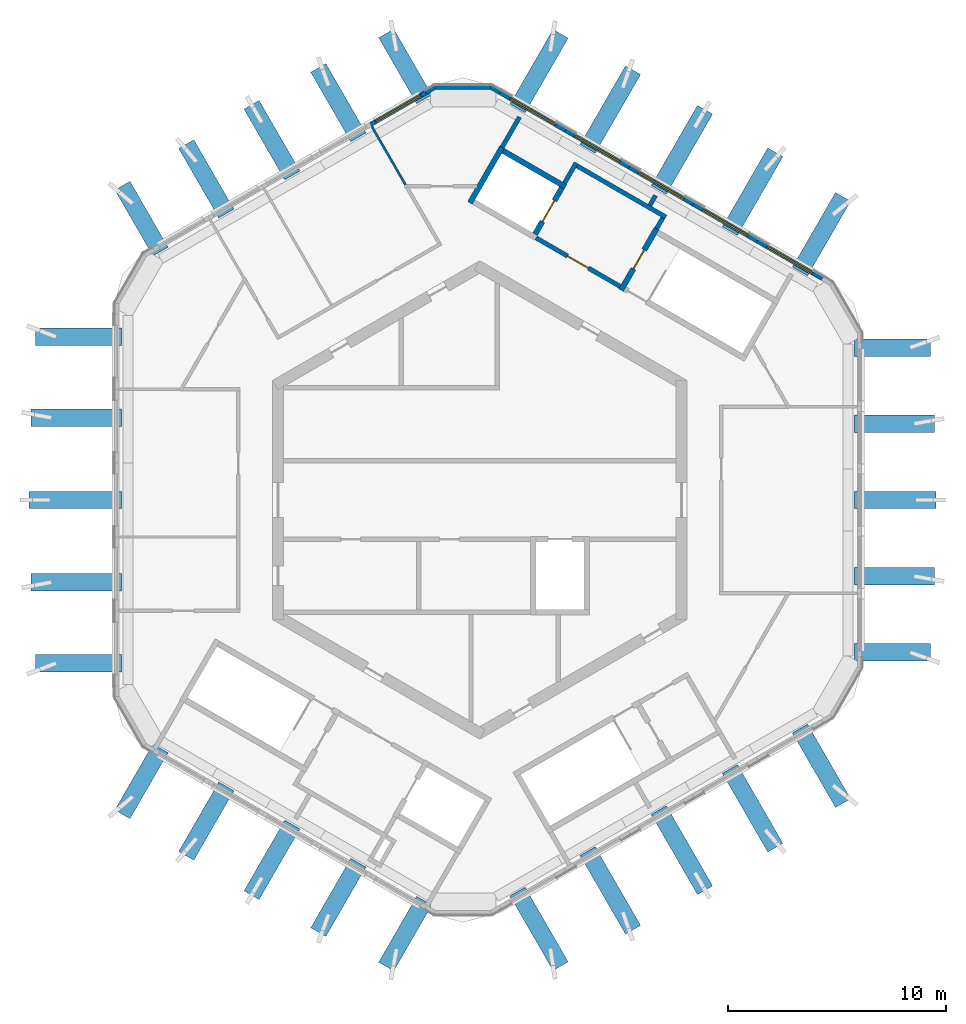
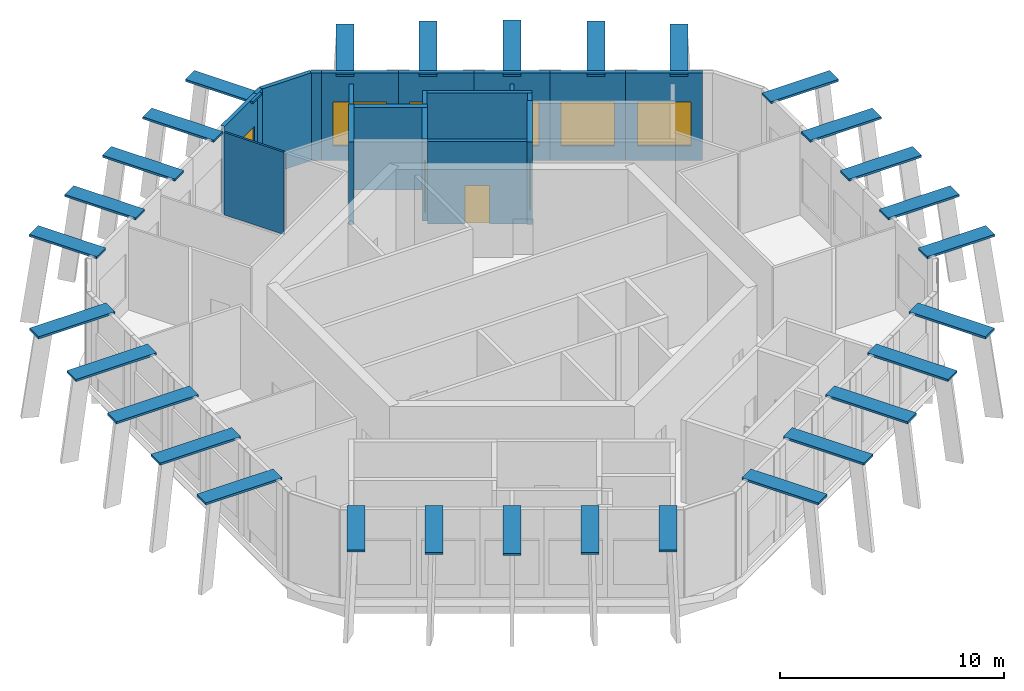
# One storey, part 5 of 8: 30 discrete accessories, 20 walls, 6 windows, 3 doors, 9 openings.
"""IFC4 building model written with IfcOpenShell, lengths in metres."""

from ifc_helpers import new_model, si_unit, direction, frame, frame_2d, origin, origin_2d, place, context, subcontext, project, spatial, rectangle, extrude, material, layer, layer_set, type_object, element, fill, save


model = new_model("IFC4")

# Units and contexts
model_context = context("Model", 3, precision=1e-05, world=origin(), true_north=direction((0.0, 1.0)))
body_context = subcontext(model_context, "Body", "Model", "MODEL_VIEW")
ifc_project = project(units=[si_unit("LENGTHUNIT", "METRE"), si_unit("AREAUNIT", "SQUARE_METRE"), si_unit("VOLUMEUNIT", "CUBIC_METRE"), si_unit("PLANEANGLEUNIT", "RADIAN"), si_unit("MASSUNIT", "GRAM", prefix="KILO")], contexts=[model_context])

# Site, building, storey
site_placement = place(None, origin())
site = spatial("IfcSite", under=ifc_project, at=site_placement, CompositionType="ELEMENT")
building_placement = place(site_placement, origin())
building = spatial("IfcBuilding", under=site, at=building_placement, Name="Ayvan Gate Tower", CompositionType="ELEMENT")
storey_placement = place(building_placement, frame((0.0, 0.0, 262.89990234375)))
storey = spatial("IfcBuildingStorey", under=building, at=storey_placement, Name="L70", CompositionType="ELEMENT", Elevation=262.89990234375)

# Wall, opening, window
ifc_material_1 = material(Name="Pale metal cladding on insulated wall")
ifc_layer_1 = layer(ifc_material_1, 0.199951171875)
ifc_layer_set_1 = layer_set([ifc_layer_1], Name="Pale metal cladding on insulated wall")
wall_type_1 = type_object("IfcWallType", Name="Louvred plant wall 200", PredefinedType="SOLIDWALL", material=ifc_layer_set_1)
wall_1_placement = place(storey_placement, frame((-2.470703125, 18.6796875, 0.0), z_axis=(0.0, 0.0, 1.0), x_axis=(-0.866033925456, -0.499985239742, 0.0)))
wall_1 = element("IfcWall", 1, at=wall_1_placement, inside=storey, type_object=wall_type_1, Name="EW:L70:F00:0", PredefinedType="SOLIDWALL", context=body_context, shape_type="SweptSolid", body=[
    extrude(rectangle(XDim=2.921875, YDim=0.199951171875, at=frame_2d((1.4609375, 0.0))), origin(), (0.0, 0.0, 1.0), 4.800048828125),
])
opening_1_placement = place(wall_1_placement, frame((0.260986328125, 0.0, 0.800048828125)))
opening_1 = element("IfcOpeningElement", 2, at=opening_1_placement, cuts=wall_1, Name="Opening W-L", PredefinedType="OPENING", context=body_context, shape_type="SweptSolid", body=[
    extrude(rectangle(XDim=2.39990234375, YDim=2.39990234375, at=frame_2d((1.199951171875, 1.199951171875))), frame((0.0, 0.10986328125, 0.0), z_axis=(0.0, -1.0, 0.0), x_axis=(1.0, 0.0, 0.0)), (0.0, 0.0, 1.0), 0.219970703125),
])
ifc_material_2 = material(Name="Anodised aluminium louvre", Category="aluminium")
window_type = type_object("IfcWindowType", Name="Louvre intake W-L", PartitioningType="DOUBLE_PANEL_VERTICAL", PredefinedType="WINDOW", material=ifc_material_2)
window_1_placement = place(opening_1_placement, origin())
window_1 = element("IfcWindow", 3, at=window_1_placement, inside=storey, type_object=window_type, Name="Louvre intake L70.0.0", OverallHeight=2.39990234375, OverallWidth=2.39990234375, PartitioningType="SINGLE_PANEL", PredefinedType="WINDOW", context=body_context, shape_type="SweptSolid", body=[
    extrude(rectangle(XDim=2.39990234375, YDim=2.39990234375, at=frame_2d((1.199951171875, 1.199951171875))), frame((0.0, 0.030029296875, 0.0), z_axis=(0.0, -1.0, 0.0), x_axis=(1.0, 0.0, 0.0)), (0.0, 0.0, 1.0), 0.06005859375),
])
fill(opening_1, window_1)

wall_2_placement = place(storey_placement, frame((15.7099609375, 10.1494140625, 0.0), z_axis=(0.0, 0.0, 1.0), x_axis=(-0.866064358114, 0.499932523051, 0.0)))
wall_2 = element("IfcWall", 4, at=wall_2_placement, inside=storey, type_object=wall_type_1, Name="EW:L70:F10:0", PredefinedType="SOLIDWALL", context=body_context, shape_type="SweptSolid", body=[
    extrude(rectangle(XDim=3.4541015625, YDim=0.199951171875, at=frame_2d((1.72705078125, 0.0))), origin(), (0.0, 0.0, 1.0), 4.800048828125),
])
opening_2_placement = place(wall_2_placement, frame((0.527099609375, 0.0, 0.800048828125)))
opening_2 = element("IfcOpeningElement", 5, at=opening_2_placement, cuts=wall_2, Name="Opening W-L", PredefinedType="OPENING", context=body_context, shape_type="SweptSolid", body=[
    extrude(rectangle(XDim=2.39990234375, YDim=2.39990234375, at=frame_2d((1.199951171875, 1.199951171875))), frame((0.0, 0.10986328125, 0.0), z_axis=(0.0, -1.0, 0.0), x_axis=(1.0, 0.0, 0.0)), (0.0, 0.0, 1.0), 0.219970703125),
])
window_2_placement = place(opening_2_placement, origin())
window_2 = element("IfcWindow", 6, at=window_2_placement, inside=storey, type_object=window_type, Name="Louvre intake L70.10.0", OverallHeight=2.39990234375, OverallWidth=2.39990234375, PartitioningType="SINGLE_PANEL", PredefinedType="WINDOW", context=body_context, shape_type="SweptSolid", body=[
    extrude(rectangle(XDim=2.39990234375, YDim=2.39990234375, at=frame_2d((1.199951171875, 1.199951171875))), frame((0.0, 0.030029296875, 0.0), z_axis=(0.0, -1.0, 0.0), x_axis=(1.0, 0.0, 0.0)), (0.0, 0.0, 1.0), 0.06005859375),
])
fill(opening_2, window_2)

wall_3_placement = place(storey_placement, frame((12.718505859375, 11.876220703125, 0.0), z_axis=(0.0, 0.0, 1.0), x_axis=(-0.865992138996, 0.500057611879, 0.0)))
wall_3 = element("IfcWall", 7, at=wall_3_placement, inside=storey, type_object=wall_type_1, Name="EW:L70:F10:1", PredefinedType="SOLIDWALL", context=body_context, shape_type="SweptSolid", body=[
    extrude(rectangle(XDim=3.3837890625, YDim=0.199951171875, at=frame_2d((1.69189453125, 0.0))), origin(), (0.0, 0.0, 1.0), 4.800048828125),
])
opening_3_placement = place(wall_3_placement, frame((0.491943359375, 0.0, 0.800048828125)))
opening_3 = element("IfcOpeningElement", 8, at=opening_3_placement, cuts=wall_3, Name="Opening W-L", PredefinedType="OPENING", context=body_context, shape_type="SweptSolid", body=[
    extrude(rectangle(XDim=2.39990234375, YDim=2.39990234375, at=frame_2d((1.199951171875, 1.199951171875))), frame((0.0, 0.10986328125, 0.0), z_axis=(0.0, -1.0, 0.0), x_axis=(1.0, 0.0, 0.0)), (0.0, 0.0, 1.0), 0.219970703125),
])
window_3_placement = place(opening_3_placement, origin())
window_3 = element("IfcWindow", 9, at=window_3_placement, inside=storey, type_object=window_type, Name="Louvre intake L70.10.1", OverallHeight=2.39990234375, OverallWidth=2.39990234375, PartitioningType="SINGLE_PANEL", PredefinedType="WINDOW", context=body_context, shape_type="SweptSolid", body=[
    extrude(rectangle(XDim=2.39990234375, YDim=2.39990234375, at=frame_2d((1.199951171875, 1.199951171875))), frame((0.0, 0.030029296875, 0.0), z_axis=(0.0, -1.0, 0.0), x_axis=(1.0, 0.0, 0.0)), (0.0, 0.0, 1.0), 0.06005859375),
])
fill(opening_3, window_3)

wall_4_placement = place(storey_placement, frame((9.7880859375, 13.568359375, 0.0), z_axis=(0.0, 0.0, 1.0), x_axis=(-0.866051074803, 0.499955533855, 0.0)))
wall_4 = element("IfcWall", 10, at=wall_4_placement, inside=storey, type_object=wall_type_1, Name="EW:L70:F10:2", PredefinedType="SOLIDWALL", context=body_context, shape_type="SweptSolid", body=[
    extrude(rectangle(XDim=3.385009765625, YDim=0.199951171875, at=frame_2d((1.6923828125, 0.0))), origin(), (0.0, 0.0, 1.0), 4.800048828125),
])
opening_4_placement = place(wall_4_placement, frame((0.492431640625, 0.0, 0.800048828125)))
opening_4 = element("IfcOpeningElement", 11, at=opening_4_placement, cuts=wall_4, Name="Opening W-L", PredefinedType="OPENING", context=body_context, shape_type="SweptSolid", body=[
    extrude(rectangle(XDim=2.39990234375, YDim=2.39990234375, at=frame_2d((1.199951171875, 1.199951171875))), frame((0.0, 0.10986328125, 0.0), z_axis=(0.0, -1.0, 0.0), x_axis=(1.0, 0.0, 0.0)), (0.0, 0.0, 1.0), 0.219970703125),
])
window_4_placement = place(opening_4_placement, origin())
window_4 = element("IfcWindow", 12, at=window_4_placement, inside=storey, type_object=window_type, Name="Louvre intake L70.10.2", OverallHeight=2.39990234375, OverallWidth=2.39990234375, PartitioningType="SINGLE_PANEL", PredefinedType="WINDOW", context=body_context, shape_type="SweptSolid", body=[
    extrude(rectangle(XDim=2.39990234375, YDim=2.39990234375, at=frame_2d((1.199951171875, 1.199951171875))), frame((0.0, 0.030029296875, 0.0), z_axis=(0.0, -1.0, 0.0), x_axis=(1.0, 0.0, 0.0)), (0.0, 0.0, 1.0), 0.06005859375),
])
fill(opening_4, window_4)

wall_5_placement = place(storey_placement, frame((6.8564453125, 15.2607421875, 0.0), z_axis=(0.0, 0.0, 1.0), x_axis=(-0.866010178455, 0.500026370116, 0.0)))
wall_5 = element("IfcWall", 13, at=wall_5_placement, inside=storey, type_object=wall_type_1, Name="EW:L70:F10:3", PredefinedType="SOLIDWALL", context=body_context, shape_type="SweptSolid", body=[
    extrude(rectangle(XDim=3.384033203125, YDim=0.199951171875, at=frame_2d((1.69189453125, 0.0))), origin(), (0.0, 0.0, 1.0), 4.800048828125),
])
opening_5_placement = place(wall_5_placement, frame((0.491943359375, 0.0, 0.800048828125)))
opening_5 = element("IfcOpeningElement", 14, at=opening_5_placement, cuts=wall_5, Name="Opening W-L", PredefinedType="OPENING", context=body_context, shape_type="SweptSolid", body=[
    extrude(rectangle(XDim=2.39990234375, YDim=2.39990234375, at=frame_2d((1.199951171875, 1.199951171875))), frame((0.0, 0.10986328125, 0.0), z_axis=(0.0, -1.0, 0.0), x_axis=(1.0, 0.0, 0.0)), (0.0, 0.0, 1.0), 0.219970703125),
])
window_5_placement = place(opening_5_placement, origin())
window_5 = element("IfcWindow", 15, at=window_5_placement, inside=storey, type_object=window_type, Name="Louvre intake L70.10.3", OverallHeight=2.39990234375, OverallWidth=2.39990234375, PartitioningType="SINGLE_PANEL", PredefinedType="WINDOW", context=body_context, shape_type="SweptSolid", body=[
    extrude(rectangle(XDim=2.39990234375, YDim=2.39990234375, at=frame_2d((1.199951171875, 1.199951171875))), frame((0.0, 0.030029296875, 0.0), z_axis=(0.0, -1.0, 0.0), x_axis=(1.0, 0.0, 0.0)), (0.0, 0.0, 1.0), 0.06005859375),
])
fill(opening_5, window_5)

wall_6_placement = place(storey_placement, frame((3.92578125, 16.952880859375, 0.0), z_axis=(0.0, 0.0, 1.0), x_axis=(-0.866046690806, 0.499963127985, 0.0)))
wall_6 = element("IfcWall", 16, at=wall_6_placement, inside=storey, type_object=wall_type_1, Name="EW:L70:F10:4", PredefinedType="SOLIDWALL", context=body_context, shape_type="SweptSolid", body=[
    extrude(rectangle(XDim=3.453857421875, YDim=0.199951171875, at=frame_2d((1.72705078125, 0.0))), origin(), (0.0, 0.0, 1.0), 4.800048828125),
])
opening_6_placement = place(wall_6_placement, frame((0.527099609375, 0.0, 0.800048828125)))
opening_6 = element("IfcOpeningElement", 17, at=opening_6_placement, cuts=wall_6, Name="Opening W-L", PredefinedType="OPENING", context=body_context, shape_type="SweptSolid", body=[
    extrude(rectangle(XDim=2.39990234375, YDim=2.39990234375, at=frame_2d((1.199951171875, 1.199951171875))), frame((0.0, 0.10986328125, 0.0), z_axis=(0.0, -1.0, 0.0), x_axis=(1.0, 0.0, 0.0)), (0.0, 0.0, 1.0), 0.219970703125),
])
window_6_placement = place(opening_6_placement, origin())
window_6 = element("IfcWindow", 18, at=window_6_placement, inside=storey, type_object=window_type, Name="Louvre intake L70.10.4", OverallHeight=2.39990234375, OverallWidth=2.39990234375, PartitioningType="SINGLE_PANEL", PredefinedType="WINDOW", context=body_context, shape_type="SweptSolid", body=[
    extrude(rectangle(XDim=2.39990234375, YDim=2.39990234375, at=frame_2d((1.199951171875, 1.199951171875))), frame((0.0, 0.030029296875, 0.0), z_axis=(0.0, -1.0, 0.0), x_axis=(1.0, 0.0, 0.0)), (0.0, 0.0, 1.0), 0.06005859375),
])
fill(opening_6, window_6)

# Walls
wall_7_placement = place(storey_placement, frame((0.9345703125, 18.6796875, 0.0), z_axis=(0.0, 0.0, 1.0), x_axis=(-0.865988727248, 0.500063520245, 0.0)))
element("IfcWall", 19, at=wall_7_placement, inside=storey, type_object=wall_type_1, Name="EW:L70:C11:0", PredefinedType="SOLIDWALL", context=body_context, shape_type="SweptSolid", body=[
    extrude(rectangle(XDim=0.47509765625, YDim=0.199951171875, at=frame_2d((0.237548828125, 0.0))), origin(), (0.0, 0.0, 1.0), 4.800048828125),
])
wall_8_placement = place(storey_placement, frame((0.523193359375, 18.917236328125, 0.0), z_axis=(0.0, 0.0, 1.0), x_axis=(-1.0, 0.0, 0.0)))
element("IfcWall", 20, at=wall_8_placement, inside=storey, type_object=wall_type_1, Name="EW:L70:C11:1", PredefinedType="SOLIDWALL", context=body_context, shape_type="SweptSolid", body=[
    extrude(rectangle(XDim=2.58251953125, YDim=0.199951171875, at=frame_2d((1.291259765625, 0.0))), origin(), (0.0, 0.0, 1.0), 4.800048828125),
])
wall_9_placement = place(storey_placement, frame((-2.059326171875, 18.917236328125, 0.0), z_axis=(0.0, 0.0, 1.0), x_axis=(-0.865988727248, -0.500063520245, 0.0)))
element("IfcWall", 21, at=wall_9_placement, inside=storey, type_object=wall_type_1, Name="EW:L70:C11:2", PredefinedType="SOLIDWALL", context=body_context, shape_type="SweptSolid", body=[
    extrude(rectangle(XDim=0.47509765625, YDim=0.199951171875, at=frame_2d((0.237548828125, 0.0))), origin(), (0.0, 0.0, 1.0), 4.800048828125),
])
ifc_material_3 = material(Name="Plasterboard on steel stud", Category="steel")
ifc_layer_2 = layer(ifc_material_3, 0.10009765625)
ifc_layer_set_2 = layer_set([ifc_layer_2], Name="Plasterboard on steel stud")
wall_type_2 = type_object("IfcWallType", Name="WT-PART-100", PredefinedType="PARTITIONING", material=ifc_layer_set_2)
wall_10_placement = place(storey_placement, frame((-4.94873046875, 17.12890625, 0.0), z_axis=(0.0, 0.0, 1.0), x_axis=(0.499943966227, -0.866057752481, 0.0)))
element("IfcWall", 22, at=wall_10_placement, inside=storey, type_object=wall_type_2, Name="IW-L70-021", PredefinedType="PARTITIONING", context=body_context, shape_type="SweptSolid", body=[
    extrude(rectangle(XDim=3.084716796875, YDim=0.10009765625, at=frame_2d((1.54248046875, 0.0))), origin(), (0.0, 0.0, 1.0), 4.5),
])
ifc_layer_3 = layer(ifc_material_3, 0.199951171875)
ifc_layer_set_3 = layer_set([ifc_layer_3], Name="Plasterboard on steel stud")
wall_type_3 = type_object("IfcWallType", Name="WT-PLUMB-200", PredefinedType="PLUMBINGWALL", material=ifc_layer_set_3)
wall_11_placement = place(storey_placement, frame((1.027099609375, 16.178955078125, 0.0), z_axis=(0.0, 0.0, 1.0), x_axis=(0.500058204987, 0.865991796511, 0.0)))
element("IfcWall", 23, at=wall_11_placement, inside=storey, type_object=wall_type_3, Name="IW-L70-037", PredefinedType="PLUMBINGWALL", context=body_context, shape_type="SweptSolid", body=[
    extrude(rectangle(XDim=1.594482421875, YDim=0.199951171875, at=frame_2d((0.79736328125, 0.0))), origin(), (0.0, 0.0, 1.0), 4.5),
])
wall_12_placement = place(storey_placement, frame((3.885009765625, 14.52880859375, 0.0), z_axis=(0.0, 0.0, 1.0), x_axis=(0.499997628298, 0.866026773083, 0.0)))
element("IfcWall", 24, at=wall_12_placement, inside=storey, type_object=wall_type_3, Name="IW-L70-046", PredefinedType="PLUMBINGWALL", context=body_context, shape_type="SweptSolid", body=[
    extrude(rectangle(XDim=1.0751953125, YDim=0.199951171875, at=frame_2d((0.53759765625, 0.0))), origin(), (0.0, 0.0, 1.0), 4.5),
])
wall_13_placement = place(storey_placement, frame((4.458984375, 15.323486328125, 0.0), z_axis=(0.0, 0.0, 1.0), x_axis=(0.866016039709, -0.500016218704, 0.0)))
element("IfcWall", 25, at=wall_13_placement, inside=storey, type_object=wall_type_3, Name="IW-L70-048", PredefinedType="PLUMBINGWALL", context=body_context, shape_type="SweptSolid", body=[
    extrude(rectangle(XDim=4.699951171875, YDim=0.199951171875, at=frame_2d((2.35009765625, 0.0))), origin(), (0.0, 0.0, 1.0), 4.5),
])
wall_14_placement = place(storey_placement, frame((7.800048828125, 13.510009765625, 0.0), z_axis=(0.0, 0.0, 1.0), x_axis=(0.499980071345, 0.866036909293, 0.0)))
element("IfcWall", 26, at=wall_14_placement, inside=storey, type_object=wall_type_3, Name="IW-L70-057", PredefinedType="PLUMBINGWALL", context=body_context, shape_type="SweptSolid", body=[
    extrude(rectangle(XDim=0.51953125, YDim=0.199951171875, at=frame_2d((0.259765625, 0.0))), origin(), (0.0, 0.0, 1.0), 4.5),
])
wall_15_placement = place(storey_placement, frame((8.392822265625, 12.936767578125, 0.0), z_axis=(0.0, 0.0, 1.0), x_axis=(-0.500065409566, -0.86598763626, 0.0)))
element("IfcWall", 27, at=wall_15_placement, inside=storey, type_object=wall_type_3, Name="IW-L70-059", PredefinedType="PLUMBINGWALL", context=body_context, shape_type="SweptSolid", body=[
    extrude(rectangle(XDim=0.5751953125, YDim=0.199951171875, at=frame_2d((0.28759765625, 0.0))), origin(), (0.0, 0.0, 1.0), 4.5),
])

# Wall, opening, door
ifc_layer_4 = layer(ifc_material_3, 0.199951171875)
ifc_layer_set_4 = layer_set([ifc_layer_4], Name="Plasterboard on steel stud")
wall_type_4 = type_object("IfcWallType", Name="WT-RATED-200", PredefinedType="PARTITIONING", material=ifc_layer_set_4)
wall_16_placement = place(storey_placement, frame((6.4345703125, 9.794921875, 0.0), z_axis=(0.0, 0.0, 1.0), x_axis=(-0.866012907634, 0.500021643343, 0.0)))
wall_16 = element("IfcWall", 28, at=wall_16_placement, inside=storey, type_object=wall_type_4, Name="IW-L70-051", PredefinedType="PARTITIONING", context=body_context, shape_type="SweptSolid", body=[
    extrude(rectangle(XDim=4.449951171875, YDim=0.199951171875, at=frame_2d((2.22509765625, 0.0))), origin(), (0.0, 0.0, 1.0), 4.5),
])
opening_7_placement = place(wall_16_placement, frame((1.675048828125, 0.0, 0.0)))
opening_7 = element("IfcOpeningElement", 29, at=opening_7_placement, cuts=wall_16, Name="Opening L70-D06", PredefinedType="OPENING", context=body_context, shape_type="SweptSolid", body=[
    extrude(rectangle(XDim=1.10009765625, YDim=2.10009765625, at=frame_2d((0.550048828125, 1.050048828125))), frame((0.0, 0.10986328125, 0.0), z_axis=(0.0, -1.0, 0.0), x_axis=(1.0, 0.0, 0.0)), (0.0, 0.0, 1.0), 0.219970703125),
])
ifc_material_4 = material(Name="Timber door leaf", Category="wood")
door_type_1 = type_object("IfcDoorType", Name="DT-1100", OperationType="NOTDEFINED", PredefinedType="DOOR", material=ifc_material_4)
door_1_placement = place(opening_7_placement, origin())
door_1 = element("IfcDoor", 30, at=door_1_placement, inside=storey, type_object=door_type_1, Name="ID-L70-006", OperationType="SINGLE_SWING_RIGHT", OverallHeight=2.10009765625, OverallWidth=1.10009765625, PredefinedType="DOOR", context=body_context, shape_type="SweptSolid", body=[
    extrude(rectangle(XDim=1.10009765625, YDim=2.10009765625, at=frame_2d((0.550048828125, 1.050048828125))), frame((0.0, 0.02490234375, 0.0), z_axis=(0.0, -1.0, 0.0), x_axis=(1.0, 0.0, 0.0)), (0.0, 0.0, 1.0), 0.050048828125),
])
fill(opening_7, door_1)

# Walls
ifc_material_5 = material(Name="Concrete C50/60", Category="concrete")
ifc_layer_5 = layer(ifc_material_5, 0.25)
ifc_layer_set_5 = layer_set([ifc_layer_5], Name="Concrete C50/60")
wall_type_5 = type_object("IfcWallType", Name="WT-RC-250", PredefinedType="SHEAR", material=ifc_layer_set_5)
wall_17_placement = place(storey_placement, frame((-0.447998046875, 13.624267578125, 0.0), z_axis=(0.0, 0.0, 1.0), x_axis=(0.500037662692, 0.866003658127, 0.0)))
element("IfcWall", 31, at=wall_17_placement, inside=storey, type_object=wall_type_5, Name="IW-L70-034", PredefinedType="SHEAR", context=body_context, shape_type="SweptSolid", body=[
    extrude(rectangle(XDim=2.949951171875, YDim=0.25, at=frame_2d((1.47509765625, 0.0))), origin(), (0.0, 0.0, 1.0), 4.5),
])
wall_18_placement = place(storey_placement, frame((1.072998046875, 16.00830078125, 0.0), z_axis=(0.0, 0.0, 1.0), x_axis=(0.866040211805, -0.499974350878, 0.0)))
element("IfcWall", 32, at=wall_18_placement, inside=storey, type_object=wall_type_5, Name="IW-L70-038", PredefinedType="SHEAR", context=body_context, shape_type="SweptSolid", body=[
    extrude(rectangle(XDim=3.300048828125, YDim=0.25, at=frame_2d((1.64990234375, 0.0))), origin(), (0.0, 0.0, 1.0), 4.5),
])

# Wall, opening, door
wall_19_placement = place(storey_placement, frame((2.534912109375, 12.19091796875, 0.0), z_axis=(0.0, 0.0, 1.0), x_axis=(0.500061746146, 0.865989751695, 0.0)))
wall_19 = element("IfcWall", 33, at=wall_19_placement, inside=storey, type_object=wall_type_5, Name="IW-L70-042", PredefinedType="SHEAR", context=body_context, shape_type="SweptSolid", body=[
    extrude(rectangle(XDim=2.449951171875, YDim=0.25, at=frame_2d((1.22509765625, 0.0))), origin(), (0.0, 0.0, 1.0), 4.5),
])
opening_8_placement = place(wall_19_placement, frame((0.675048828125, 0.0, 0.0)))
opening_8 = element("IfcOpeningElement", 34, at=opening_8_placement, cuts=wall_19, Name="Opening L70-LD-FF1", PredefinedType="OPENING", context=body_context, shape_type="SweptSolid", body=[
    extrude(rectangle(XDim=1.10009765625, YDim=2.10009765625, at=frame_2d((0.550048828125, 1.050048828125))), frame((0.0, 0.135009765625, 0.0), z_axis=(0.0, -1.0, 0.0), x_axis=(1.0, 0.0, 0.0)), (0.0, 0.0, 1.0), 0.27001953125),
])
ifc_material_6 = material(Name="Stainless steel landing door", Category="steel")
door_type_2 = type_object("IfcDoorType", Name="DT-LANDING-1100", OperationType="SLIDING_TO_LEFT", PredefinedType="DOOR", material=ifc_material_6)
door_2_placement = place(opening_8_placement, origin())
door_2 = element("IfcDoor", 35, at=door_2_placement, inside=storey, type_object=door_type_2, Name="ID-L70-007", OperationType="SLIDING_TO_LEFT", OverallHeight=2.10009765625, OverallWidth=1.10009765625, PredefinedType="DOOR", context=body_context, shape_type="SweptSolid", body=[
    extrude(rectangle(XDim=1.10009765625, YDim=2.10009765625, at=frame_2d((0.550048828125, 1.050048828125))), frame((0.0, 0.02490234375, 0.0), z_axis=(0.0, -1.0, 0.0), x_axis=(1.0, 0.0, 0.0)), (0.0, 0.0, 1.0), 0.050048828125),
])
fill(opening_8, door_2)

wall_20_placement = place(storey_placement, frame((6.480224609375, 9.624267578125, 0.0), z_axis=(0.0, 0.0, 1.0), x_axis=(0.500017246033, 0.866015446554, 0.0)))
wall_20 = element("IfcWall", 36, at=wall_20_placement, inside=storey, type_object=wall_type_5, Name="IW-L70-052", PredefinedType="SHEAR", context=body_context, shape_type="SweptSolid", body=[
    extrude(rectangle(XDim=3.25, YDim=0.25, at=frame_2d((1.625, 0.0))), origin(), (0.0, 0.0, 1.0), 4.5),
])
opening_9_placement = place(wall_20_placement, frame((1.125, 0.0, 0.0)))
opening_9 = element("IfcOpeningElement", 37, at=opening_9_placement, cuts=wall_20, Name="Opening L70-D05", PredefinedType="OPENING", context=body_context, shape_type="SweptSolid", body=[
    extrude(rectangle(XDim=1.0, YDim=2.10009765625, at=frame_2d((0.5, 1.050048828125))), frame((0.0, 0.135009765625, 0.0), z_axis=(0.0, -1.0, 0.0), x_axis=(1.0, 0.0, 0.0)), (0.0, 0.0, 1.0), 0.27001953125),
])
door_type_3 = type_object("IfcDoorType", Name="DT-1000", OperationType="NOTDEFINED", PredefinedType="DOOR", material=ifc_material_4)
door_3_placement = place(opening_9_placement, origin())
door_3 = element("IfcDoor", 38, at=door_3_placement, inside=storey, type_object=door_type_3, Name="ID-L70-005", OperationType="SINGLE_SWING_LEFT", OverallHeight=2.10009765625, OverallWidth=1.0, PredefinedType="DOOR", context=body_context, shape_type="SweptSolid", body=[
    extrude(rectangle(XDim=1.0, YDim=2.10009765625, at=frame_2d((0.5, 1.050048828125))), frame((0.0, 0.02490234375, 0.0), z_axis=(0.0, -1.0, 0.0), x_axis=(1.0, 0.0, 0.0)), (0.0, 0.0, 1.0), 0.050048828125),
])
fill(opening_9, door_3)

# Discrete accessories
ifc_material_7 = material(Name="Stainless steel 316", Category="steel")
ifc_layer_6 = layer(ifc_material_7, 0.1201171875)
ifc_layer_set_6 = layer_set([ifc_layer_6], Name="Stainless steel 316")
discrete_accessory_type = type_object("IfcDiscreteAccessoryType", Name="Fin carrier bracket", PredefinedType="BRACKET", material=ifc_layer_set_6)
discrete_accessory_1_placement = place(storey_placement, frame((-18.39404296875, -7.477783203125, 4.679931640625), z_axis=(0.0, 0.0, 1.0), x_axis=(0.0, -1.0, 0.0)))
element("IfcDiscreteAccessory", 39, at=discrete_accessory_1_placement, inside=storey, type_object=discrete_accessory_type, Name="Fin carrier 196", PredefinedType="BRACKET", context=body_context, shape_type="SweptSolid", body=[
    extrude(rectangle(XDim=0.800048828125, YDim=3.948974609375, at=origin_2d()), origin(), (0.0, 0.0, 1.0), 0.1201171875),
])
discrete_accessory_2_placement = place(storey_placement, frame((-18.502197265625, -3.765625, 4.679931640625), z_axis=(0.0, 0.0, 1.0), x_axis=(0.0, -1.0, 0.0)))
element("IfcDiscreteAccessory", 40, at=discrete_accessory_2_placement, inside=storey, type_object=discrete_accessory_type, Name="Fin carrier 198", PredefinedType="BRACKET", context=body_context, shape_type="SweptSolid", body=[
    extrude(rectangle(XDim=0.800048828125, YDim=4.165283203125, at=origin_2d()), origin(), (0.0, 0.0, 1.0), 0.1201171875),
])
discrete_accessory_3_placement = place(storey_placement, frame((-18.541748046875, -0.000244140625, 4.679931640625), z_axis=(0.0, 0.0, 1.0), x_axis=(0.0, -1.0, 0.0)))
element("IfcDiscreteAccessory", 41, at=discrete_accessory_3_placement, inside=storey, type_object=discrete_accessory_type, Name="Fin carrier 200", PredefinedType="BRACKET", context=body_context, shape_type="SweptSolid", body=[
    extrude(rectangle(XDim=0.800048828125, YDim=4.24462890625, at=origin_2d()), origin(), (0.0, 0.0, 1.0), 0.1201171875),
])
discrete_accessory_4_placement = place(storey_placement, frame((-18.502197265625, 3.765380859375, 4.679931640625), z_axis=(0.0, 0.0, 1.0), x_axis=(0.0, -1.0, 0.0)))
element("IfcDiscreteAccessory", 42, at=discrete_accessory_4_placement, inside=storey, type_object=discrete_accessory_type, Name="Fin carrier 202", PredefinedType="BRACKET", context=body_context, shape_type="SweptSolid", body=[
    extrude(rectangle(XDim=0.800048828125, YDim=4.165283203125, at=origin_2d()), origin(), (0.0, 0.0, 1.0), 0.1201171875),
])
discrete_accessory_5_placement = place(storey_placement, frame((-18.39404296875, 7.4775390625, 4.679931640625), z_axis=(0.0, 0.0, 1.0), x_axis=(0.0, -1.0, 0.0)))
element("IfcDiscreteAccessory", 43, at=discrete_accessory_5_placement, inside=storey, type_object=discrete_accessory_type, Name="Fin carrier 204", PredefinedType="BRACKET", context=body_context, shape_type="SweptSolid", body=[
    extrude(rectangle(XDim=0.800048828125, YDim=3.948974609375, at=origin_2d()), origin(), (0.0, 0.0, 1.0), 0.1201171875),
])
for number, where, z_axis, x_axis, name in (
    (44, (-15.513427734375, -12.903564453125, 4.679931640625), (0.0, 0.0, 1.0), (0.866025403784, -0.5, 0.0), "Fin carrier 236"),
    (45, (-15.513427734375, 12.9033203125, 4.679931640625), (0.0, 0.0, 1.0), (-0.866025403784, -0.5, 0.0), "Fin carrier 245"),
):
    element("IfcDiscreteAccessory", number, at=place(storey_placement, frame(where, z_axis=z_axis, x_axis=x_axis)), inside=storey, type_object=discrete_accessory_type, Name=name, PredefinedType="BRACKET", context=body_context, shape_type="SweptSolid", body=[
        extrude(rectangle(XDim=0.800048828125, YDim=3.48779296875, at=origin_2d()), origin(), (0.0, 0.0, 1.0), 0.1201171875),
    ])
for number, where, z_axis, x_axis, name in (
    (46, (-12.53955078125, -14.728515625, 4.679931640625), (0.0, 0.0, 1.0), (0.866025403784, -0.5, 0.0), "Fin carrier 311"),
    (47, (-12.53955078125, 14.728515625, 4.679931640625), (0.0, 0.0, 1.0), (-0.866025403784, -0.5, 0.0), "Fin carrier 314"),
):
    element("IfcDiscreteAccessory", number, at=place(storey_placement, frame(where, z_axis=z_axis, x_axis=x_axis)), inside=storey, type_object=discrete_accessory_type, Name=name, PredefinedType="BRACKET", context=body_context, shape_type="SweptSolid", body=[
        extrude(rectangle(XDim=0.800048828125, YDim=3.675048828125, at=origin_2d()), origin(), (0.0, 0.0, 1.0), 0.1201171875),
    ])
for number, where, z_axis, x_axis, name in (
    (48, (-9.529052734375, -16.505126953125, 4.679931640625), (0.0, 0.0, 1.0), (0.866025403784, -0.5, 0.0), "Fin carrier 365"),
    (49, (-9.529296875, 16.5048828125, 4.679931640625), (0.0, 0.0, 1.0), (-0.866025403784, -0.5, 0.0), "Fin carrier 376"),
):
    element("IfcDiscreteAccessory", number, at=place(storey_placement, frame(where, z_axis=z_axis, x_axis=x_axis)), inside=storey, type_object=discrete_accessory_type, Name=name, PredefinedType="BRACKET", context=body_context, shape_type="SweptSolid", body=[
        extrude(rectangle(XDim=0.800048828125, YDim=3.74169921875, at=origin_2d()), origin(), (0.0, 0.0, 1.0), 0.1201171875),
    ])
for number, where, z_axis, x_axis, name in (
    (50, (-6.4853515625, -18.223876953125, 4.679931640625), (0.0, 0.0, 1.0), (0.866025403784, -0.5, 0.0), "Fin carrier 429"),
    (51, (-6.485595703125, 18.2236328125, 4.679931640625), (0.0, 0.0, 1.0), (-0.866025403784, -0.5, 0.0), "Fin carrier 438"),
):
    element("IfcDiscreteAccessory", number, at=place(storey_placement, frame(where, z_axis=z_axis, x_axis=x_axis)), inside=storey, type_object=discrete_accessory_type, Name=name, PredefinedType="BRACKET", context=body_context, shape_type="SweptSolid", body=[
        extrude(rectangle(XDim=0.800048828125, YDim=3.675048828125, at=origin_2d()), origin(), (0.0, 0.0, 1.0), 0.1201171875),
    ])
for number, where, z_axis, x_axis, name in (
    (52, (-3.41796875, -19.88671875, 4.679931640625), (0.0, 0.0, 1.0), (0.866025403784, -0.5, 0.0), "Fin carrier 491"),
    (53, (-3.41796875, 19.88671875, 4.679931640625), (0.0, 0.0, 1.0), (-0.866025403784, -0.5, 0.0), "Fin carrier 494"),
):
    element("IfcDiscreteAccessory", number, at=place(storey_placement, frame(where, z_axis=z_axis, x_axis=x_axis)), inside=storey, type_object=discrete_accessory_type, Name=name, PredefinedType="BRACKET", context=body_context, shape_type="SweptSolid", body=[
        extrude(rectangle(XDim=0.800048828125, YDim=3.48779296875, at=origin_2d()), origin(), (0.0, 0.0, 1.0), 0.1201171875),
    ])
for number, where, z_axis, x_axis, name in (
    (54, (2.72119140625, -19.66845703125, 4.679931640625), (0.0, 0.0, 1.0), (0.866025403784, 0.5, 0.0), "Fin carrier 557"),
    (55, (2.72119140625, 19.66845703125, 4.679931640625), (0.0, 0.0, 1.0), (-0.866025403784, 0.5, 0.0), "Fin carrier 558"),
):
    element("IfcDiscreteAccessory", number, at=place(storey_placement, frame(where, z_axis=z_axis, x_axis=x_axis)), inside=storey, type_object=discrete_accessory_type, Name=name, PredefinedType="BRACKET", context=body_context, shape_type="SweptSolid", body=[
        extrude(rectangle(XDim=0.800048828125, YDim=3.948974609375, at=origin_2d()), origin(), (0.0, 0.0, 1.0), 0.1201171875),
    ])
for number, where, z_axis, x_axis, name in (
    (56, (5.989990234375, -17.906005859375, 4.679931640625), (0.0, 0.0, 1.0), (0.866025403784, 0.5, 0.0), "Fin carrier 609"),
    (57, (5.98974609375, 17.90625, 4.679931640625), (0.0, 0.0, 1.0), (-0.866025403784, 0.5, 0.0), "Fin carrier 615"),
):
    element("IfcDiscreteAccessory", number, at=place(storey_placement, frame(where, z_axis=z_axis, x_axis=x_axis)), inside=storey, type_object=discrete_accessory_type, Name=name, PredefinedType="BRACKET", context=body_context, shape_type="SweptSolid", body=[
        extrude(rectangle(XDim=0.800048828125, YDim=4.165283203125, at=origin_2d()), origin(), (0.0, 0.0, 1.0), 0.1201171875),
    ])
for number, where, z_axis, x_axis, name in (
    (58, (9.27099609375, -16.0576171875, 4.679931640625), (0.0, 0.0, 1.0), (0.866025403784, 0.5, 0.0), "Fin carrier 671"),
    (59, (9.270751953125, 16.0576171875, 4.679931640625), (0.0, 0.0, 1.0), (-0.866025403784, 0.5, 0.0), "Fin carrier 677"),
):
    element("IfcDiscreteAccessory", number, at=place(storey_placement, frame(where, z_axis=z_axis, x_axis=x_axis)), inside=storey, type_object=discrete_accessory_type, Name=name, PredefinedType="BRACKET", context=body_context, shape_type="SweptSolid", body=[
        extrude(rectangle(XDim=0.800048828125, YDim=4.24462890625, at=origin_2d()), origin(), (0.0, 0.0, 1.0), 0.1201171875),
    ])
for number, where, z_axis, x_axis, name in (
    (60, (12.51220703125, -14.140380859375, 4.679931640625), (0.0, 0.0, 1.0), (0.866025403784, 0.5, 0.0), "Fin carrier 724"),
    (61, (12.51220703125, 14.140625, 4.679931640625), (0.0, 0.0, 1.0), (-0.866025403784, 0.5, 0.0), "Fin carrier 726"),
):
    element("IfcDiscreteAccessory", number, at=place(storey_placement, frame(where, z_axis=z_axis, x_axis=x_axis)), inside=storey, type_object=discrete_accessory_type, Name=name, PredefinedType="BRACKET", context=body_context, shape_type="SweptSolid", body=[
        extrude(rectangle(XDim=0.800048828125, YDim=4.165283203125, at=origin_2d()), origin(), (0.0, 0.0, 1.0), 0.1201171875),
    ])
for number, where, z_axis, x_axis, name in (
    (62, (15.6728515625, -12.190673828125, 4.679931640625), (0.0, 0.0, 1.0), (0.866025403784, 0.5, 0.0), "Fin carrier 787"),
    (63, (15.6728515625, 12.19091796875, 4.679931640625), (0.0, 0.0, 1.0), (-0.866025403784, 0.5, 0.0), "Fin carrier 790"),
):
    element("IfcDiscreteAccessory", number, at=place(storey_placement, frame(where, z_axis=z_axis, x_axis=x_axis)), inside=storey, type_object=discrete_accessory_type, Name=name, PredefinedType="BRACKET", context=body_context, shape_type="SweptSolid", body=[
        extrude(rectangle(XDim=0.800048828125, YDim=3.948974609375, at=origin_2d()), origin(), (0.0, 0.0, 1.0), 0.1201171875),
    ])
discrete_accessory_6_placement = place(storey_placement, frame((18.931396484375, -6.983154296875, 4.679931640625), z_axis=(0.0, 0.0, 1.0), x_axis=(0.0, 1.0, 0.0)))
element("IfcDiscreteAccessory", 64, at=discrete_accessory_6_placement, inside=storey, type_object=discrete_accessory_type, Name="Fin carrier 843", PredefinedType="BRACKET", context=body_context, shape_type="SweptSolid", body=[
    extrude(rectangle(XDim=0.800048828125, YDim=3.48779296875, at=origin_2d()), origin(), (0.0, 0.0, 1.0), 0.1201171875),
])
discrete_accessory_7_placement = place(storey_placement, frame((19.02490234375, -3.495361328125, 4.679931640625), z_axis=(0.0, 0.0, 1.0), x_axis=(0.0, 1.0, 0.0)))
element("IfcDiscreteAccessory", 65, at=discrete_accessory_7_placement, inside=storey, type_object=discrete_accessory_type, Name="Fin carrier 854", PredefinedType="BRACKET", context=body_context, shape_type="SweptSolid", body=[
    extrude(rectangle(XDim=0.800048828125, YDim=3.675048828125, at=origin_2d()), origin(), (0.0, 0.0, 1.0), 0.1201171875),
])
discrete_accessory_8_placement = place(storey_placement, frame((19.058349609375, 0.0, 4.679931640625), z_axis=(0.0, 0.0, 1.0), x_axis=(0.0, 1.0, 0.0)))
element("IfcDiscreteAccessory", 66, at=discrete_accessory_8_placement, inside=storey, type_object=discrete_accessory_type, Name="Fin carrier 867", PredefinedType="BRACKET", context=body_context, shape_type="SweptSolid", body=[
    extrude(rectangle(XDim=0.800048828125, YDim=3.74169921875, at=origin_2d()), origin(), (0.0, 0.0, 1.0), 0.1201171875),
])
discrete_accessory_9_placement = place(storey_placement, frame((19.02490234375, 3.495361328125, 4.679931640625), z_axis=(0.0, 0.0, 1.0), x_axis=(0.0, 1.0, 0.0)))
element("IfcDiscreteAccessory", 67, at=discrete_accessory_9_placement, inside=storey, type_object=discrete_accessory_type, Name="Fin carrier 878", PredefinedType="BRACKET", context=body_context, shape_type="SweptSolid", body=[
    extrude(rectangle(XDim=0.800048828125, YDim=3.675048828125, at=origin_2d()), origin(), (0.0, 0.0, 1.0), 0.1201171875),
])
discrete_accessory_10_placement = place(storey_placement, frame((18.931396484375, 6.9833984375, 4.679931640625), z_axis=(0.0, 0.0, 1.0), x_axis=(0.0, 1.0, 0.0)))
element("IfcDiscreteAccessory", 68, at=discrete_accessory_10_placement, inside=storey, type_object=discrete_accessory_type, Name="Fin carrier 882", PredefinedType="BRACKET", context=body_context, shape_type="SweptSolid", body=[
    extrude(rectangle(XDim=0.800048828125, YDim=3.48779296875, at=origin_2d()), origin(), (0.0, 0.0, 1.0), 0.1201171875),
])

save(model, "model.ifc")
